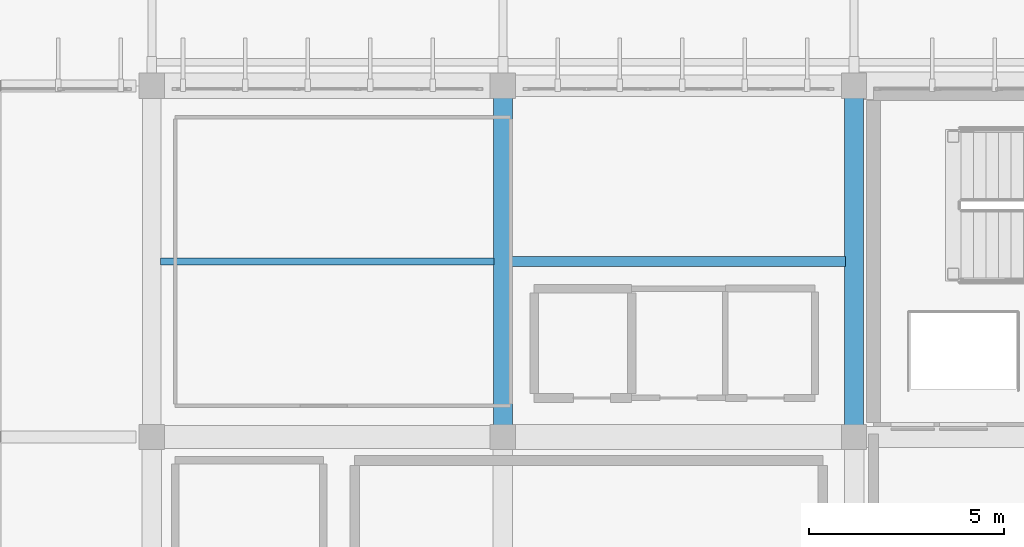
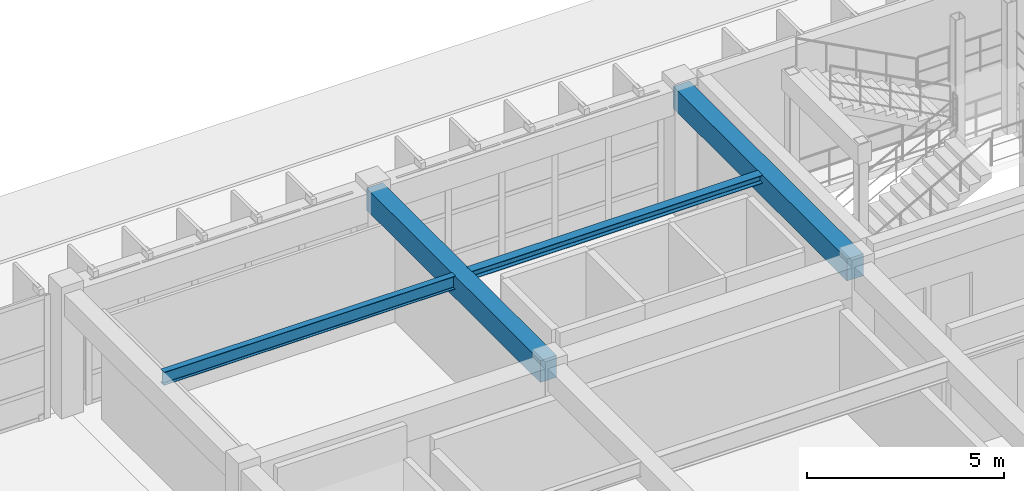
# One storey, part 37 of 80: 4 beams.
"""IFC4 building model written with IfcOpenShell, lengths in metres."""

from ifc_helpers import new_model, si_unit, direction, frame, origin, origin_2d, place, context, subcontext, project, spatial, rectangle, i_section, extrude, material, material_profile, profile_set, type_object, element, save


model = new_model("IFC4")

# Units and contexts
model_context = context("Model", 3, precision=1e-05, world=origin(), true_north=direction((0.0, 1.0)))
body_context = subcontext(model_context, "Body", "Model", "MODEL_VIEW")
ifc_project = project(units=[si_unit("LENGTHUNIT", "METRE"), si_unit("AREAUNIT", "SQUARE_METRE"), si_unit("VOLUMEUNIT", "CUBIC_METRE"), si_unit("PLANEANGLEUNIT", "RADIAN"), si_unit("MASSUNIT", "GRAM", prefix="KILO")], contexts=[model_context])

# Site, building, storey
site_placement = place(None, origin())
site = spatial("IfcSite", under=ifc_project, at=site_placement, CompositionType="ELEMENT")
building_placement = place(site_placement, origin())
building = spatial("IfcBuilding", under=site, at=building_placement, Name="Miravela Opera House", CompositionType="ELEMENT")
storey_placement = place(building_placement, frame((0.0, 0.0, 17.679931640625)))
storey = spatial("IfcBuildingStorey", under=building, at=storey_placement, Name="L04", CompositionType="ELEMENT", Elevation=17.679931640625)

# Beams
ifc_material_1 = material(Name="Concrete C35/45", Category="concrete")
ifc_material_profile_1 = material_profile(ifc_material_1, rectangle(XDim=0.47998046875, YDim=0.679931640625, at=origin_2d()), Name="RC-BM-480X680")
ifc_profile_set_1 = profile_set([ifc_material_profile_1])
beam_type_1 = type_object("IfcBeamType", Name="STR-BM-RC480X680", PredefinedType="BEAM", material=ifc_profile_set_1)
for number, where, z_axis, x_axis, name in (
    (1, (36.0, 66.080078125, 3.5), (0.0, 1.0, 0.0), (-1.0, 0.0, 0.0), "Floor Girder L04 5/H-I"),
    (2, (45.0, 66.080078125, 3.5), (0.0, 1.0, 0.0), (-1.0, 0.0, 0.0), "Floor Girder L04 6/H-I"),
):
    element("IfcBeam", number, at=place(storey_placement, frame(where, z_axis=z_axis, x_axis=x_axis)), inside=storey, type_object=beam_type_1, Name=name, PredefinedType="BEAM", context=body_context, shape_type="SweptSolid", body=[
        extrude(rectangle(XDim=0.47998046875, YDim=0.679931640625, at=origin_2d()), origin(), (0.0, 0.0, 1.0), 8.83984375),
    ])
ifc_material_2 = material(Name="Structural steel ASTM A992 Gr. 50", Category="steel")
ifc_material_profile_2 = material_profile(ifc_material_2, i_section(OverallWidth=0.25390625, OverallDepth=0.2529296875, WebThickness=0.008544921875, FlangeThickness=0.01416015625, FilletRadius=0.011962890625, at=origin_2d()), Name="W250X73")
ifc_profile_set_2 = profile_set([ifc_material_profile_2])
beam_type_2 = type_object("IfcBeamType", Name="STR-BM-W250X73", PredefinedType="JOIST", material=ifc_profile_set_2)
beam_1_placement = place(storey_placement, frame((36.22509765625, 70.5, 3.713623046875), z_axis=(1.0, 0.0, 0.0), x_axis=(0.0, 1.0, 0.0)))
element("IfcBeam", 3, at=beam_1_placement, inside=storey, type_object=beam_type_2, Name="Secondary Floor Joist L04 5-6/H-I", PredefinedType="JOIST", context=body_context, shape_type="SweptSolid", body=[
    extrude(i_section(OverallWidth=0.25390625, OverallDepth=0.2529296875, WebThickness=0.008544921875, FlangeThickness=0.01416015625, FilletRadius=0.011962890625, at=origin_2d()), origin(), (0.0, 0.0, 1.0), 8.5498046875),
])
ifc_material_profile_3 = material_profile(ifc_material_2, i_section(OverallWidth=0.177978515625, OverallDepth=0.406982421875, WebThickness=0.0078125, FlangeThickness=0.0126953125, FilletRadius=0.012939453125, at=origin_2d()), Name="W410X60")
ifc_profile_set_3 = profile_set([ifc_material_profile_3])
beam_type_3 = type_object("IfcBeamType", Name="STR-BM-W410X60", PredefinedType="JOIST", material=ifc_profile_set_3)
beam_2_placement = place(storey_placement, frame((27.22509765625, 70.5, 3.636474609375), z_axis=(1.0, 0.0, 0.0), x_axis=(0.0, 1.0, 0.0)))
element("IfcBeam", 4, at=beam_2_placement, inside=storey, type_object=beam_type_3, Name="Secondary Floor Joist L04 4-5/H-I", PredefinedType="JOIST", context=body_context, shape_type="SweptSolid", body=[
    extrude(i_section(OverallWidth=0.177978515625, OverallDepth=0.406982421875, WebThickness=0.0078125, FlangeThickness=0.0126953125, FilletRadius=0.012939453125, at=origin_2d()), origin(), (0.0, 0.0, 1.0), 8.5498046875),
])

save(model, "model.ifc")
